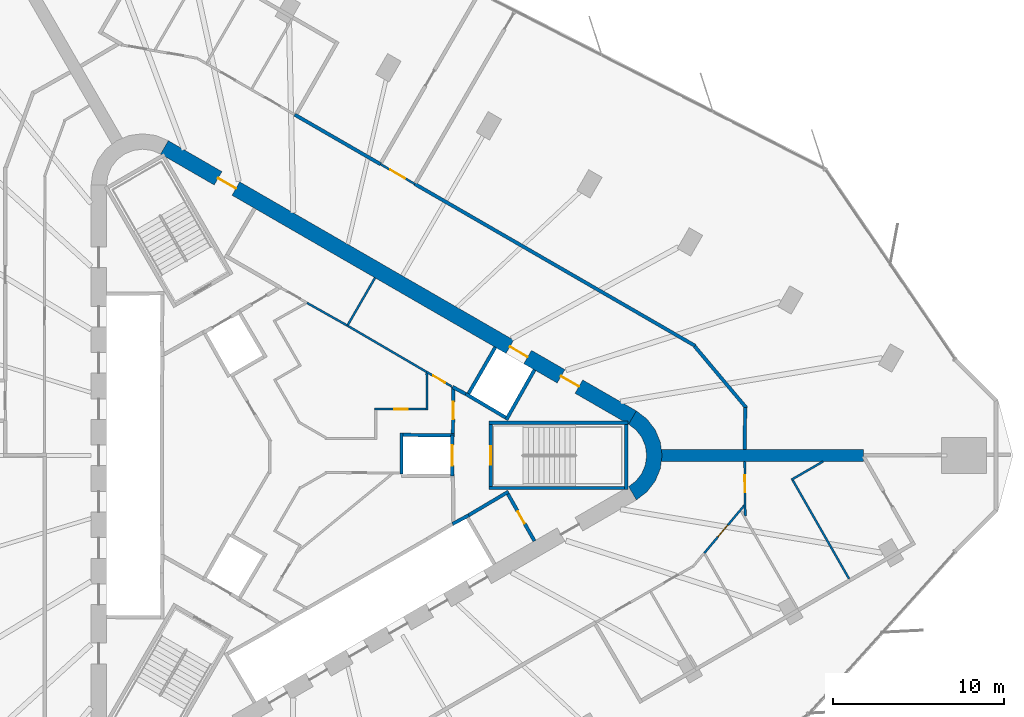
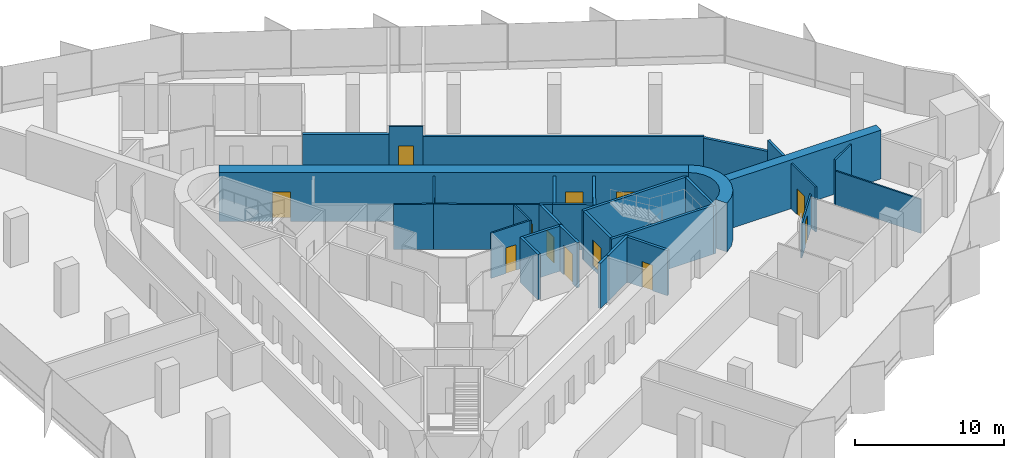
# One storey, part 11 of 14: 33 walls, 12 doors, 12 openings.
"""IFC4 building model written with IfcOpenShell, lengths in metres."""

import ifcopenshell
import ifcopenshell.guid

model = None  # the IFC model being written
_history = None  # IfcOwnerHistory: only IFC2X3 demands one
_inside = {}  # id of a spatial element -> (the spatial element, [elements in it])
_under = {}  # id of a project, library or spatial element -> (it, [spatial elements below it])
_declared = {}  # id of a project -> (the project, [libraries it declares])
_typed = {}  # id of a type object -> (the type object, [elements of that type])
_made_of = {}  # id of a material, layer set ... -> (it, [elements and type objects made of it])


def new_model(schema):
    """Start an empty IFC model of exactly this schema.

    Asked for "IFC4X3", IfcOpenShell would pick the latest addendum, in which some entities
    have other attributes; the version numbers below select the first issue.
    IFC2X3 requires an IfcOwnerHistory on every rooted entity: one is made here for all.
    """
    global model, _history
    if schema == "IFC4X3":
        model = ifcopenshell.file(schema_version=(4, 3, 0, 0))
    else:
        model = ifcopenshell.file(schema=schema)
    _inside.clear()
    _under.clear()
    _declared.clear()
    _typed.clear()
    _made_of.clear()
    _history = None
    if model.schema == "IFC2X3":
        org = make("IfcOrganization", Name="unknown")
        user = make(
            "IfcPersonAndOrganization",
            ThePerson=make("IfcPerson", FamilyName="unknown"),
            TheOrganization=org,
        )
        app = make(
            "IfcApplication",
            ApplicationDeveloper=org,
            Version="unknown",
            ApplicationFullName="unknown",
            ApplicationIdentifier="unknown",
        )
        _history = make(
            "IfcOwnerHistory",
            OwningUser=user,
            OwningApplication=app,
            ChangeAction="ADDED",
            CreationDate=0,
        )
    return model


def make(cls, **values):
    """One entity of the class cls with the attributes given. An attribute that is None is left unset."""
    return model.create_entity(
        cls, **{name: value for name, value in values.items() if value is not None}
    )


def rooted(cls, **values):
    """An entity with a GlobalId (a new one), such as an element, a storey or a relation."""
    return make(cls, GlobalId=ifcopenshell.guid.new(), OwnerHistory=_history, **values)


def si_unit(unit_type, name, prefix=None):
    """IfcSIUnit, for example si_unit("LENGTHUNIT", "METRE", prefix="MILLI")."""
    return make("IfcSIUnit", UnitType=unit_type, Prefix=prefix, Name=name)


def assignment(units):
    """IfcUnitAssignment: the units of a project."""
    return None if units is None else make("IfcUnitAssignment", Units=units)


def point(xyz):
    """IfcCartesianPoint."""
    return None if xyz is None else make("IfcCartesianPoint", Coordinates=xyz)


def direction(xyz):
    """IfcDirection."""
    return None if xyz is None else make("IfcDirection", DirectionRatios=xyz)


def frame(location, z_axis=None, x_axis=None):
    """IfcAxis2Placement3D, a coordinate frame: its origin and axes. An axis left out is left unset."""
    return make(
        "IfcAxis2Placement3D",
        Location=point(location),
        Axis=direction(z_axis),
        RefDirection=direction(x_axis),
    )


def frame_2d(location, x_axis=None):
    """IfcAxis2Placement2D, a coordinate frame in the plane: its origin and x axis."""
    return make(
        "IfcAxis2Placement2D", Location=point(location), RefDirection=direction(x_axis)
    )


def origin():
    """The frame at (0, 0, 0) with its axes left unset."""
    return frame((0.0, 0.0, 0.0))


def place(relative_to, where):
    """IfcLocalPlacement: puts the frame where relative to a parent placement (None: the world)."""
    return make(
        "IfcLocalPlacement", PlacementRelTo=relative_to, RelativePlacement=where
    )


def context(
    kind, dimensions, precision=None, world=None, true_north=None, identifier=None
):
    """IfcGeometricRepresentationContext, for example the 3D "Model" context."""
    return make(
        "IfcGeometricRepresentationContext",
        ContextIdentifier=identifier,
        ContextType=kind,
        CoordinateSpaceDimension=dimensions,
        Precision=precision,
        WorldCoordinateSystem=world,
        TrueNorth=true_north,
    )


def subcontext(parent, identifier, kind, view, scale=None):
    """IfcGeometricRepresentationSubContext, for example "Body" below "Model"."""
    return make(
        "IfcGeometricRepresentationSubContext",
        ContextIdentifier=identifier,
        ContextType=kind,
        ParentContext=parent,
        TargetScale=scale,
        TargetView=view,
    )


def project(units=None, contexts=None):
    """IfcProject with its units and contexts."""
    return rooted(
        "IfcProject",
        Name="project",
        RepresentationContexts=contexts,
        UnitsInContext=assignment(units),
    )


def spatial(cls, under=None, at=None, **own):
    """A site, building, storey or space (cls), placed at a placement, below another one or the project."""
    s = rooted(cls, ObjectPlacement=at, **own)
    if under is not None:
        _under.setdefault(under.id(), (under, []))[1].append(s)
    return s


def polyline(points):
    """IfcPolyline through the points."""
    return make("IfcPolyline", Points=[point(p) for p in points])


def profile(cls, at=None, kind="AREA", **sizes):
    """A parametric profile (cls). Its sizes go by their IFC names, for example OverallWidth=200.0."""
    return make(cls, ProfileType=kind, Position=at, **sizes)


def rectangle(**sizes):
    """IfcRectangleProfileDef."""
    return profile("IfcRectangleProfileDef", **sizes)


def outline(outer, holes=None, kind="AREA"):
    """IfcArbitraryClosedProfileDef: a profile drawn as a closed curve; with holes, ...WithVoids."""
    if holes is None:
        return make("IfcArbitraryClosedProfileDef", ProfileType=kind, OuterCurve=outer)
    return make(
        "IfcArbitraryProfileDefWithVoids",
        ProfileType=kind,
        OuterCurve=outer,
        InnerCurves=holes,
    )


def extrude(swept, where, along, depth):
    """IfcExtrudedAreaSolid: the profile swept, set in the frame where, extruded along a direction by depth."""
    return make(
        "IfcExtrudedAreaSolid",
        SweptArea=swept,
        Position=where,
        ExtrudedDirection=direction(along),
        Depth=depth,
    )


def shape(context_of_items, identifier, shape_type, items):
    """IfcShapeRepresentation: the items that make up one representation, for example the "Body"."""
    return make(
        "IfcShapeRepresentation",
        ContextOfItems=context_of_items,
        RepresentationIdentifier=identifier,
        RepresentationType=shape_type,
        Items=items,
    )


def material(Name=None, Category=None):
    """IfcMaterial."""
    return make("IfcMaterial", Name=Name, Category=Category)


def layer(
    of_material, thickness, ventilated=None, Name=None, Category=None, Priority=None
):
    """IfcMaterialLayer: one layer of a wall or slab, of a material (None: an air gap)."""
    return make(
        "IfcMaterialLayer",
        Material=of_material,
        LayerThickness=thickness,
        IsVentilated=ventilated,
        Name=Name,
        Category=Category,
        Priority=Priority,
    )


def layer_set(layers, Name=None):
    """IfcMaterialLayerSet."""
    return make("IfcMaterialLayerSet", MaterialLayers=layers, LayerSetName=Name)


def made_of(thing, what):
    """Note that an element or type object is made of a material, layer set ...; save() writes the relation."""
    if what is not None:
        _made_of.setdefault(what.id(), (what, []))[1].append(thing)
    return thing


def type_object(cls, material=None, **own):
    """A type object (cls), such as IfcWallType, which elements share."""
    return made_of(rooted(cls, **own), material)


def element(
    cls,
    number,
    at=None,
    inside=None,
    cuts=None,
    type_object=None,
    material=None,
    context=None,
    identifier="Body",
    shape_type=None,
    held_by="IfcProductDefinitionShape",
    body=None,
    shapes=None,
    **own,
):
    """One element of the class cls, such as IfcWall. Its Tag is "e" and its number.

    at: its placement. inside: the storey or other place that contains it. cuts: it is an
    opening in that element (IfcRelVoidsElement). A single representation is given by context,
    identifier, shape_type and body (its items); several are given by shapes. held_by: the class
    of the entity that holds the representations. save() writes the other relations.
    """
    e = rooted(cls, Tag="e%d" % number, ObjectPlacement=at, **own)
    if body is not None:
        shapes = [shape(context, identifier, shape_type, body)]
    if shapes is not None:
        e.Representation = make(held_by, Representations=shapes)
    if inside is not None:
        _inside.setdefault(inside.id(), (inside, []))[1].append(e)
    if cuts is not None:
        rooted(
            "IfcRelVoidsElement", RelatingBuildingElement=cuts, RelatedOpeningElement=e
        )
    if type_object is not None:
        _typed.setdefault(type_object.id(), (type_object, []))[1].append(e)
    return made_of(e, material)


def fill(opening, filler):
    """IfcRelFillsElement: the door or window that sits in an opening."""
    return rooted(
        "IfcRelFillsElement",
        RelatingOpeningElement=opening,
        RelatedBuildingElement=filler,
    )


def aggregate(whole, parts):
    """IfcRelAggregates: a whole, such as a stair, and the parts it consists of."""
    return rooted("IfcRelAggregates", RelatingObject=whole, RelatedObjects=parts)


def save(model, path):
    """Write the relations noted so far, then the file.

    IfcRelAggregates (storeys below a building ...), IfcRelContainedInSpatialStructure (elements
    in a storey), IfcRelDefinesByType, IfcRelAssociatesMaterial and IfcRelDeclares: one each for
    every whole, place, type object, material and project.
    """
    for whole, parts in _under.values():
        aggregate(whole, parts)
    for where, things in _inside.values():
        rooted(
            "IfcRelContainedInSpatialStructure",
            RelatedElements=things,
            RelatingStructure=where,
        )
    for kind, things in _typed.values():
        rooted("IfcRelDefinesByType", RelatedObjects=things, RelatingType=kind)
    for what, things in _made_of.values():
        rooted("IfcRelAssociatesMaterial", RelatedObjects=things, RelatingMaterial=what)
    for by, libraries in _declared.values():
        rooted("IfcRelDeclares", RelatingContext=by, RelatedDefinitions=libraries)
    model.write(path)


model = new_model("IFC4")

# Units and contexts
model_context = context("Model", 3, precision=1e-05, world=origin(), true_north=direction((0.0, 1.0)))
body_context = subcontext(model_context, "Body", "Model", "MODEL_VIEW")
ifc_project = project(units=[si_unit("LENGTHUNIT", "METRE"), si_unit("AREAUNIT", "SQUARE_METRE"), si_unit("VOLUMEUNIT", "CUBIC_METRE"), si_unit("PLANEANGLEUNIT", "RADIAN"), si_unit("MASSUNIT", "GRAM", prefix="KILO")], contexts=[model_context])

# Site, building, storey
site_placement = place(None, origin())
site = spatial("IfcSite", under=ifc_project, at=site_placement, CompositionType="ELEMENT")
building_placement = place(site_placement, origin())
building = spatial("IfcBuilding", under=site, at=building_placement, Name="Tanit Gate Tower", CompositionType="ELEMENT")
storey_placement = place(building_placement, frame((0.0, 0.0, 205.199951171875)))
storey = spatial("IfcBuildingStorey", under=building, at=storey_placement, Name="L45", CompositionType="ELEMENT", Elevation=205.199951171875)

# Wall
ifc_material_1 = material(Name="Concrete C50/60", Category="concrete")
ifc_layer_1 = layer(ifc_material_1, 0.699951171875)
ifc_layer_set_1 = layer_set([ifc_layer_1], Name="BUTTRESS FIN 700 C50/60")
wall_type_1 = type_object("IfcWallType", Name="BUTTRESS FIN 700 C50/60", PredefinedType="SHEAR", material=ifc_layer_set_1)
wall_1_placement = place(storey_placement, frame((21.14990234375, 0.0, 0.0), z_axis=(0.0, 0.0, 1.0), x_axis=(1.0, 0.0, 0.0)))
element("IfcWall", 1, at=wall_1_placement, inside=storey, type_object=wall_type_1, Name="BUTTRESS FIN", PredefinedType="SHEAR", context=body_context, shape_type="SweptSolid", body=[
    extrude(rectangle(XDim=11.7939453125, YDim=0.699951171875, at=frame_2d((5.89697265625, 0.0))), origin(), (0.0, 0.0, 1.0), 4.0),
])

# Wall, openings, doors
ifc_material_2 = material(Name="Concrete C50/60", Category="concrete")
ifc_layer_2 = layer(ifc_material_2, 0.89990234375)
ifc_layer_set_2 = layer_set([ifc_layer_2], Name="CORE WALL 900 C50/60")
wall_type_2 = type_object("IfcWallType", Name="CORE WALL 900 C50/60", PredefinedType="SHEAR", material=ifc_layer_set_2)
wall_2_placement = place(storey_placement, frame((19.47509765625, 2.20849609375, 0.0), z_axis=(0.0, 0.0, 1.0), x_axis=(-0.866028369851, 0.499994862586, 0.0)))
wall_2 = element("IfcWall", 2, at=wall_2_placement, inside=storey, type_object=wall_type_2, Name="CORE WALL", PredefinedType="SHEAR", context=body_context, shape_type="SweptSolid", body=[
    extrude(rectangle(XDim=31.523193359375, YDim=0.89990234375, at=frame_2d((15.76171875, 0.0))), origin(), (0.0, 0.0, 1.0), 4.0),
])
opening_1_placement = place(wall_2_placement, frame((7.0615234375, 0.0, 0.0)))
opening_1 = element("IfcOpeningElement", 3, at=opening_1_placement, cuts=wall_2, Name="Opening LDML8-S12", PredefinedType="OPENING", context=body_context, shape_type="SweptSolid", body=[
    extrude(rectangle(XDim=1.199951171875, YDim=2.39990234375, at=frame_2d((0.60009765625, 1.199951171875))), frame((0.0, 0.4599609375, 0.0), z_axis=(0.0, -1.0, 0.0), x_axis=(1.0, 0.0, 0.0)), (0.0, 0.0, 1.0), 0.919921875),
])
opening_2_placement = place(wall_2_placement, frame((3.611572265625, 0.0, 0.0)))
opening_2 = element("IfcOpeningElement", 4, at=opening_2_placement, cuts=wall_2, Name="Opening F12-S12-FL1", PredefinedType="OPENING", context=body_context, shape_type="SweptSolid", body=[
    extrude(rectangle(XDim=1.199951171875, YDim=2.39990234375, at=frame_2d((0.60009765625, 1.199951171875))), frame((0.0, 0.4599609375, 0.0), z_axis=(0.0, -1.0, 0.0), x_axis=(1.0, 0.0, 0.0)), (0.0, 0.0, 1.0), 0.919921875),
])
opening_3_placement = place(wall_2_placement, frame((26.711669921875, 0.0, 0.0)))
opening_3 = element("IfcOpeningElement", 5, at=opening_3_placement, cuts=wall_2, Name="Opening F12-S12-S2", PredefinedType="OPENING", context=body_context, shape_type="SweptSolid", body=[
    extrude(rectangle(XDim=1.199951171875, YDim=2.39990234375, at=frame_2d((0.60009765625, 1.199951171875))), frame((0.0, 0.4599609375, 0.0), z_axis=(0.0, -1.0, 0.0), x_axis=(1.0, 0.0, 0.0)), (0.0, 0.0, 1.0), 0.919921875),
])
ifc_material_3 = material(Name="Fire-rated steel door leaf", Category="steel")
door_type_1 = type_object("IfcDoorType", Name="INT-DOOR-FIRE-LOBBY-1200", OperationType="NOTDEFINED", PredefinedType="USERDEFINED", material=ifc_material_3)
door_1_placement = place(opening_2_placement, origin())
door_1 = element("IfcDoor", 6, at=door_1_placement, inside=storey, type_object=door_type_1, Name="Door F12-S12-FL1", ObjectType="FIRE DOOR", OperationType="SINGLE_SWING_RIGHT", OverallHeight=2.39990234375, OverallWidth=1.199951171875, PredefinedType="USERDEFINED", context=body_context, shape_type="SweptSolid", body=[
    extrude(rectangle(XDim=1.199951171875, YDim=2.39990234375, at=frame_2d((0.60009765625, 1.199951171875))), frame((0.0, 0.02490234375, 0.0), z_axis=(0.0, -1.0, 0.0), x_axis=(1.0, 0.0, 0.0)), (0.0, 0.0, 1.0), 0.050048828125),
])
fill(opening_2, door_1)
door_2_placement = place(opening_3_placement, origin())
door_2 = element("IfcDoor", 7, at=door_2_placement, inside=storey, type_object=door_type_1, Name="Door F12-S12-S2", ObjectType="FIRE DOOR", OperationType="SINGLE_SWING_RIGHT", OverallHeight=2.39990234375, OverallWidth=1.199951171875, PredefinedType="USERDEFINED", context=body_context, shape_type="SweptSolid", body=[
    extrude(rectangle(XDim=1.199951171875, YDim=2.39990234375, at=frame_2d((0.60009765625, 1.199951171875))), frame((0.0, 0.02490234375, 0.0), z_axis=(0.0, -1.0, 0.0), x_axis=(1.0, 0.0, 0.0)), (0.0, 0.0, 1.0), 0.050048828125),
])
fill(opening_3, door_2)
ifc_material_4 = material(Name="Stainless steel sliding door leaf", Category="steel")
door_type_2 = type_object("IfcDoorType", Name="INT-DOOR-LANDING-1200", OperationType="NOTDEFINED", PredefinedType="USERDEFINED", material=ifc_material_4)
door_3_placement = place(opening_1_placement, origin())
door_3 = element("IfcDoor", 8, at=door_3_placement, inside=storey, type_object=door_type_2, Name="Door LDML8-S12", ObjectType="LANDING DOOR", OperationType="SLIDING_TO_LEFT", OverallHeight=2.39990234375, OverallWidth=1.199951171875, PredefinedType="USERDEFINED", context=body_context, shape_type="SweptSolid", body=[
    extrude(rectangle(XDim=1.199951171875, YDim=2.39990234375, at=frame_2d((0.60009765625, 1.199951171875))), frame((0.0, 0.02490234375, 0.0), z_axis=(0.0, -1.0, 0.0), x_axis=(1.0, 0.0, 0.0)), (0.0, 0.0, 1.0), 0.050048828125),
])
fill(opening_1, door_3)

# Walls
wall_3_placement = place(storey_placement, origin())
element("IfcWall", 9, at=wall_3_placement, inside=storey, type_object=wall_type_2, Name="CORE WALL CORNER", PredefinedType="SHEAR", context=body_context, shape_type="SweptSolid", body=[
    extrude(outline(polyline([(19.699951171875, -2.59814453125), (20.3212890625, -2.121337890625), (20.798095703125, -1.5), (21.097900390625, -0.776611328125), (21.199951171875, 0.0), (21.097900390625, 0.776611328125), (20.798095703125, 1.5), (20.3212890625, 2.121337890625), (19.699951171875, 2.59814453125), (19.25, 1.818603515625), (19.684814453125, 1.48486328125), (20.018798828125, 1.050048828125), (20.228515625, 0.54345703125), (20.300048828125, 0.0), (20.228515625, -0.54345703125), (20.018798828125, -1.050048828125), (19.684814453125, -1.48486328125), (19.25, -1.818603515625), (19.699951171875, -2.59814453125)])), origin(), (0.0, 0.0, 1.0), 4.0),
])
ifc_material_5 = material(Name="Fire-rated gypsum board partition")
ifc_layer_3 = layer(ifc_material_5, 0.199951171875)
ifc_layer_set_3 = layer_set([ifc_layer_3], Name="INT-WALL-COMPARTMENT")
wall_type_3 = type_object("IfcWallType", Name="INT-WALL-COMPARTMENT", PredefinedType="PARTITIONING", material=ifc_layer_set_3)
wall_4_placement = place(storey_placement, frame((8.97412109375, 3.998779296875, 0.0), z_axis=(0.0, 0.0, 1.0), x_axis=(0.880917147855, -0.473270513147, 0.0)))
element("IfcWall", 10, at=wall_4_placement, inside=storey, type_object=wall_type_3, Name="Wall Compartment W050", PredefinedType="PARTITIONING", context=body_context, shape_type="SweptSolid", body=[
    extrude(rectangle(XDim=0.8779296875, YDim=0.199951171875, at=frame_2d((0.43896484375, 0.0))), origin(), (0.0, 0.0, 1.0), 3.699951171875),
])
wall_5_placement = place(storey_placement, frame((12.244873046875, -2.10888671875, 0.0), z_axis=(0.0, 0.0, 1.0), x_axis=(-0.860414880418, -0.509594185166, 0.0)))
element("IfcWall", 11, at=wall_5_placement, inside=storey, type_object=wall_type_3, Name="Wall Compartment W057", PredefinedType="PARTITIONING", context=body_context, shape_type="SweptSolid", body=[
    extrude(rectangle(XDim=2.7001953125, YDim=0.199951171875, at=frame_2d((1.35009765625, 0.0))), origin(), (0.0, 0.0, 1.0), 3.699951171875),
])

# Wall, opening, door
wall_6_placement = place(storey_placement, frame((13.758056640625, -4.989501953125, 0.0), z_axis=(0.0, 0.0, 1.0), x_axis=(-0.491993409184, 0.87059892334, 0.0)))
wall_6 = element("IfcWall", 12, at=wall_6_placement, inside=storey, type_object=wall_type_3, Name="Wall Compartment W058", PredefinedType="PARTITIONING", context=body_context, shape_type="SweptSolid", body=[
    extrude(rectangle(XDim=3.150146484375, YDim=0.199951171875, at=frame_2d((1.5751953125, 0.0))), origin(), (0.0, 0.0, 1.0), 3.699951171875),
])
opening_4_placement = place(wall_6_placement, frame((1.175048828125, 0.0, 0.0)))
opening_4 = element("IfcOpeningElement", 13, at=opening_4_placement, cuts=wall_6, Name="Opening R08-S12-16", PredefinedType="OPENING", context=body_context, shape_type="SweptSolid", body=[
    extrude(rectangle(XDim=0.800048828125, YDim=2.10009765625, at=frame_2d((0.39990234375, 1.050048828125))), frame((0.0, 0.10986328125, 0.0), z_axis=(0.0, -1.0, 0.0), x_axis=(1.0, 0.0, 0.0)), (0.0, 0.0, 1.0), 0.219970703125),
])
ifc_material_6 = material(Name="Timber door leaf", Category="wood")
door_type_3 = type_object("IfcDoorType", Name="INT-DOOR-RISER-800", OperationType="NOTDEFINED", PredefinedType="USERDEFINED", material=ifc_material_6)
door_4_placement = place(opening_4_placement, origin())
door_4 = element("IfcDoor", 14, at=door_4_placement, inside=storey, type_object=door_type_3, Name="Door R08-S12-16", ObjectType="FIRE DOOR", OperationType="SINGLE_SWING_RIGHT", OverallHeight=2.10009765625, OverallWidth=0.800048828125, PredefinedType="USERDEFINED", context=body_context, shape_type="SweptSolid", body=[
    extrude(rectangle(XDim=0.800048828125, YDim=2.10009765625, at=frame_2d((0.39990234375, 1.050048828125))), frame((0.0, 0.02490234375, 0.0), z_axis=(0.0, -1.0, 0.0), x_axis=(1.0, 0.0, 0.0)), (0.0, 0.0, 1.0), 0.050048828125),
])
fill(opening_4, door_4)

wall_7_placement = place(storey_placement, frame((9.0009765625, 1.27001953125, 0.0), z_axis=(0.0, 0.0, 1.0), x_axis=(0.010723968736, 0.999942496594, 0.0)))
wall_7 = element("IfcWall", 15, at=wall_7_placement, inside=storey, type_object=wall_type_3, Name="Wall Compartment W060", PredefinedType="PARTITIONING", context=body_context, shape_type="SweptSolid", body=[
    extrude(rectangle(XDim=2.709228515625, YDim=0.199951171875, at=frame_2d((1.3544921875, 0.0))), origin(), (0.0, 0.0, 1.0), 3.699951171875),
])
opening_5_placement = place(wall_7_placement, frame((0.848388671875, 0.0, 0.0)))
opening_5 = element("IfcOpeningElement", 16, at=opening_5_placement, cuts=wall_7, Name="Opening F10-S12-02", PredefinedType="OPENING", context=body_context, shape_type="SweptSolid", body=[
    extrude(rectangle(XDim=1.0, YDim=2.10009765625, at=frame_2d((0.5, 1.050048828125))), frame((0.0, 0.10986328125, 0.0), z_axis=(0.0, -1.0, 0.0), x_axis=(1.0, 0.0, 0.0)), (0.0, 0.0, 1.0), 0.219970703125),
])
ifc_material_7 = material(Name="Fire-rated steel door leaf", Category="steel")
door_type_4 = type_object("IfcDoorType", Name="INT-DOOR-FIRE-1000", OperationType="NOTDEFINED", PredefinedType="USERDEFINED", material=ifc_material_7)
door_5_placement = place(opening_5_placement, origin())
door_5 = element("IfcDoor", 17, at=door_5_placement, inside=storey, type_object=door_type_4, Name="Door F10-S12-02", ObjectType="FIRE DOOR", OperationType="SINGLE_SWING_LEFT", OverallHeight=2.10009765625, OverallWidth=1.0, PredefinedType="USERDEFINED", context=body_context, shape_type="SweptSolid", body=[
    extrude(rectangle(XDim=1.0, YDim=2.10009765625, at=frame_2d((0.5, 1.050048828125))), frame((0.0, 0.02490234375, 0.0), z_axis=(0.0, -1.0, 0.0), x_axis=(1.0, 0.0, 0.0)), (0.0, 0.0, 1.0), 0.050048828125),
])
fill(opening_5, door_5)

# Walls
wall_8_placement = place(storey_placement, frame((23.118896484375, 6.397705078125, 0.0), z_axis=(0.0, 0.0, 1.0), x_axis=(-0.866027034507, 0.499997175495, 0.0)))
element("IfcWall", 18, at=wall_8_placement, inside=storey, type_object=wall_type_3, Name="Wall Compartment W099", PredefinedType="PARTITIONING", context=body_context, shape_type="SweptSolid", body=[
    extrude(rectangle(XDim=18.87255859375, YDim=0.199951171875, at=frame_2d((9.436279296875, 0.0))), origin(), (0.0, 0.0, 1.0), 2.880126953125),
])
wall_9_placement = place(storey_placement, frame((4.78271484375, 16.984130859375, 0.0), z_axis=(0.0, 0.0, 1.0), x_axis=(-0.866032949645, 0.499986929959, 0.0)))
element("IfcWall", 19, at=wall_9_placement, inside=storey, type_object=wall_type_3, Name="Wall Compartment W103", PredefinedType="PARTITIONING", context=body_context, shape_type="SweptSolid", body=[
    extrude(rectangle(XDim=5.780029296875, YDim=0.199951171875, at=frame_2d((2.89013671875, 0.0))), origin(), (0.0, 0.0, 1.0), 3.070068359375),
])
wall_10_placement = place(storey_placement, frame((26.12109375, 2.766357421875, 0.0), z_axis=(0.0, 0.0, 1.0), x_axis=(-0.642778291452, 0.766052261949, 0.0)))
element("IfcWall", 20, at=wall_10_placement, inside=storey, type_object=wall_type_3, Name="Wall Compartment W100", PredefinedType="PARTITIONING", context=body_context, shape_type="SweptSolid", body=[
    extrude(rectangle(XDim=4.70556640625, YDim=0.199951171875, at=frame_2d((2.352783203125, 0.0))), origin(), (0.0, 0.0, 1.0), 2.780029296875),
])
wall_11_placement = place(storey_placement, frame((26.019775390625, 0.35009765625, 0.0), z_axis=(0.0, 0.0, 1.0), x_axis=(0.010532007244, 0.999944536874, 0.0)))
element("IfcWall", 21, at=wall_11_placement, inside=storey, type_object=wall_type_3, Name="Wall Compartment W101", PredefinedType="PARTITIONING", context=body_context, shape_type="SweptSolid", body=[
    extrude(rectangle(XDim=2.457275390625, YDim=0.199951171875, at=frame_2d((1.228515625, 0.0))), origin(), (0.0, 0.0, 1.0), 3.699951171875),
])
ifc_material_8 = material(Name="Gypsum board partition")
ifc_layer_4 = layer(ifc_material_8, 0.1201171875)
ifc_layer_set_4 = layer_set([ifc_layer_4], Name="INT-WALL-PARTITION")
wall_type_4 = type_object("IfcWallType", Name="INT-WALL-PARTITION", PredefinedType="PARTITIONING", material=ifc_layer_set_4)
wall_12_placement = place(storey_placement, frame((4.456787109375, 10.359375, 0.0), z_axis=(0.0, 0.0, 1.0), x_axis=(-0.500017246033, -0.866015446554, 0.0)))
element("IfcWall", 22, at=wall_12_placement, inside=storey, type_object=wall_type_4, Name="Wall Partition W049", PredefinedType="PARTITIONING", context=body_context, shape_type="SweptSolid", body=[
    extrude(rectangle(XDim=3.25, YDim=0.1201171875, at=frame_2d((1.625, 0.0))), origin(), (0.0, 0.0, 1.0), 3.699951171875),
])
wall_13_placement = place(storey_placement, frame((7.456787109375, 4.875244140625, 0.0), z_axis=(0.0, 0.0, 1.0), x_axis=(-0.863262357411, 0.504755487615, 0.0)))
element("IfcWall", 23, at=wall_13_placement, inside=storey, type_object=wall_type_4, Name="Wall Partition W051", PredefinedType="PARTITIONING", context=body_context, shape_type="SweptSolid", body=[
    extrude(rectangle(XDim=5.370361328125, YDim=0.1201171875, at=frame_2d((2.68505859375, 0.0))), origin(), (0.0, 0.0, 1.0), 3.699951171875),
])

# Wall, opening, door
wall_14_placement = place(storey_placement, frame((7.45654296875, 4.874755859375, 0.0), z_axis=(0.0, 0.0, 1.0), x_axis=(0.866027945518, -0.499995597562, 0.0)))
wall_14 = element("IfcWall", 24, at=wall_14_placement, inside=storey, type_object=wall_type_4, Name="Wall Partition W052", PredefinedType="PARTITIONING", context=body_context, shape_type="SweptSolid", body=[
    extrude(rectangle(XDim=1.7021484375, YDim=0.1201171875, at=frame_2d((0.85107421875, 0.0))), origin(), (0.0, 0.0, 1.0), 3.699951171875),
])
opening_6_placement = place(wall_14_placement, frame((0.461181640625, 0.0, 0.0)))
opening_6 = element("IfcOpeningElement", 25, at=opening_6_placement, cuts=wall_14, Name="Opening R08-S12-14", PredefinedType="OPENING", context=body_context, shape_type="SweptSolid", body=[
    extrude(rectangle(XDim=0.800048828125, YDim=2.10009765625, at=frame_2d((0.39990234375, 1.050048828125))), frame((0.0, 0.070068359375, 0.0), z_axis=(0.0, -1.0, 0.0), x_axis=(1.0, 0.0, 0.0)), (0.0, 0.0, 1.0), 0.14013671875),
])
door_6_placement = place(opening_6_placement, origin())
door_6 = element("IfcDoor", 26, at=door_6_placement, inside=storey, type_object=door_type_3, Name="Door R08-S12-14", ObjectType="FIRE DOOR", OperationType="SINGLE_SWING_RIGHT", OverallHeight=2.10009765625, OverallWidth=0.800048828125, PredefinedType="USERDEFINED", context=body_context, shape_type="SweptSolid", body=[
    extrude(rectangle(XDim=0.800048828125, YDim=2.10009765625, at=frame_2d((0.39990234375, 1.050048828125))), frame((0.0, 0.02490234375, 0.0), z_axis=(0.0, -1.0, 0.0), x_axis=(1.0, 0.0, 0.0)), (0.0, 0.0, 1.0), 0.050048828125),
])
fill(opening_6, door_6)

# Walls
wall_15_placement = place(storey_placement, frame((2.82080078125, 7.5859375, 0.0), z_axis=(0.0, 0.0, 1.0), x_axis=(-0.871426548871, 0.490526013503, 0.0)))
element("IfcWall", 27, at=wall_15_placement, inside=storey, type_object=wall_type_4, Name="Wall Partition W055", PredefinedType="PARTITIONING", context=body_context, shape_type="SweptSolid", body=[
    extrude(rectangle(XDim=2.670166015625, YDim=0.1201171875, at=frame_2d((1.3349609375, 0.0))), origin(), (0.0, 0.0, 1.0), 3.699951171875),
])
wall_16_placement = place(storey_placement, frame((7.500732421875, 2.639892578125, 0.0), z_axis=(0.0, 0.0, 1.0), x_axis=(-0.01178388431, 0.999930567625, 0.0)))
element("IfcWall", 28, at=wall_16_placement, inside=storey, type_object=wall_type_4, Name="Wall Partition W077", PredefinedType="PARTITIONING", context=body_context, shape_type="SweptSolid", body=[
    extrude(rectangle(XDim=2.15478515625, YDim=0.1201171875, at=frame_2d((1.077392578125, 0.0))), origin(), (0.0, 0.0, 1.0), 3.699951171875),
])

# Wall, opening, door
wall_17_placement = place(storey_placement, frame((4.43994140625, 2.699951171875, 0.0), z_axis=(0.0, 0.0, 1.0), x_axis=(1.0, 0.0, 0.0)))
wall_17 = element("IfcWall", 29, at=wall_17_placement, inside=storey, type_object=wall_type_4, Name="Wall Partition W078", PredefinedType="PARTITIONING", context=body_context, shape_type="SweptSolid", body=[
    extrude(rectangle(XDim=3.0, YDim=0.1201171875, at=frame_2d((1.5, 0.0))), origin(), (0.0, 0.0, 1.0), 3.699951171875),
])
opening_7_placement = place(wall_17_placement, frame((1.1298828125, 0.0, 0.0)))
opening_7 = element("IfcOpeningElement", 30, at=opening_7_placement, cuts=wall_17, Name="Opening R08-S12-13", PredefinedType="OPENING", context=body_context, shape_type="SweptSolid", body=[
    extrude(rectangle(XDim=0.800048828125, YDim=2.10009765625, at=frame_2d((0.39990234375, 1.050048828125))), frame((0.0, 0.070068359375, 0.0), z_axis=(0.0, -1.0, 0.0), x_axis=(1.0, 0.0, 0.0)), (0.0, 0.0, 1.0), 0.14013671875),
])
door_7_placement = place(opening_7_placement, origin())
door_7 = element("IfcDoor", 31, at=door_7_placement, inside=storey, type_object=door_type_3, Name="Door R08-S12-13", ObjectType="FIRE DOOR", OperationType="SINGLE_SWING_RIGHT", OverallHeight=2.10009765625, OverallWidth=0.800048828125, PredefinedType="USERDEFINED", context=body_context, shape_type="SweptSolid", body=[
    extrude(rectangle(XDim=0.800048828125, YDim=2.10009765625, at=frame_2d((0.39990234375, 1.050048828125))), frame((0.0, 0.02490234375, 0.0), z_axis=(0.0, -1.0, 0.0), x_axis=(1.0, 0.0, 0.0)), (0.0, 0.0, 1.0), 0.050048828125),
])
fill(opening_7, door_7)

wall_18_placement = place(storey_placement, frame((4.78271484375, 16.984130859375, 0.0), z_axis=(0.0, 0.0, 1.0), x_axis=(0.866007057882, -0.500031774688, 0.0)))
wall_18 = element("IfcWall", 32, at=wall_18_placement, inside=storey, type_object=wall_type_4, Name="Wall Partition W098", PredefinedType="PARTITIONING", context=body_context, shape_type="SweptSolid", body=[
    extrude(rectangle(XDim=2.300048828125, YDim=0.1201171875, at=frame_2d((1.14990234375, 0.0))), origin(), (0.0, 0.0, 1.0), 3.699951171875),
])
opening_8_placement = place(wall_18_placement, frame((0.64990234375, 0.0, 0.0)))
opening_8 = element("IfcOpeningElement", 33, at=opening_8_placement, cuts=wall_18, Name="Opening D10-S12-19", PredefinedType="OPENING", context=body_context, shape_type="SweptSolid", body=[
    extrude(rectangle(XDim=1.0, YDim=2.10009765625, at=frame_2d((0.5, 1.050048828125))), frame((0.0, 0.070068359375, 0.0), z_axis=(0.0, -1.0, 0.0), x_axis=(1.0, 0.0, 0.0)), (0.0, 0.0, 1.0), 0.14013671875),
])
ifc_material_9 = material(Name="Timber door leaf", Category="wood")
door_type_5 = type_object("IfcDoorType", Name="INT-DOOR-SINGLE-1000", OperationType="NOTDEFINED", PredefinedType="NOTDEFINED", material=ifc_material_9)
door_8_placement = place(opening_8_placement, origin())
door_8 = element("IfcDoor", 34, at=door_8_placement, inside=storey, type_object=door_type_5, Name="Door D10-S12-19", OperationType="SINGLE_SWING_LEFT", OverallHeight=2.10009765625, OverallWidth=1.0, PredefinedType="NOTDEFINED", context=body_context, shape_type="SweptSolid", body=[
    extrude(rectangle(XDim=1.0, YDim=2.10009765625, at=frame_2d((0.5, 1.050048828125))), frame((0.0, 0.02490234375, 0.0), z_axis=(0.0, -1.0, 0.0), x_axis=(1.0, 0.0, 0.0)), (0.0, 0.0, 1.0), 0.050048828125),
])
fill(opening_8, door_8)

wall_19_placement = place(storey_placement, frame((23.66845703125, -5.689453125, 0.0), z_axis=(0.0, 0.0, 1.0), x_axis=(0.642770978045, 0.766058398416, 0.0)))
wall_19 = element("IfcWall", 35, at=wall_19_placement, inside=storey, type_object=wall_type_4, Name="Wall Partition W117", PredefinedType="PARTITIONING", context=body_context, shape_type="SweptSolid", body=[
    extrude(rectangle(XDim=3.69921875, YDim=0.1201171875, at=frame_2d((1.849609375, 0.0))), origin(), (0.0, 0.0, 1.0), 2.780029296875),
])
opening_9_placement = place(wall_19_placement, frame((1.219970703125, 0.0, 0.0)))
opening_9 = element("IfcOpeningElement", 36, at=opening_9_placement, cuts=wall_19, Name="Opening D09-S12-27", PredefinedType="OPENING", context=body_context, shape_type="SweptSolid", body=[
    extrude(rectangle(XDim=0.89990234375, YDim=2.10009765625, at=frame_2d((0.449951171875, 1.050048828125))), frame((0.0, 0.070068359375, 0.0), z_axis=(0.0, -1.0, 0.0), x_axis=(1.0, 0.0, 0.0)), (0.0, 0.0, 1.0), 0.14013671875),
])
ifc_material_10 = material(Name="Timber door leaf", Category="wood")
door_type_6 = type_object("IfcDoorType", Name="INT-DOOR-SINGLE-900", OperationType="NOTDEFINED", PredefinedType="NOTDEFINED", material=ifc_material_10)
door_9_placement = place(opening_9_placement, origin())
door_9 = element("IfcDoor", 37, at=door_9_placement, inside=storey, type_object=door_type_6, Name="Door D09-S12-27", OperationType="SINGLE_SWING_LEFT", OverallHeight=2.10009765625, OverallWidth=0.89990234375, PredefinedType="NOTDEFINED", context=body_context, shape_type="SweptSolid", body=[
    extrude(rectangle(XDim=0.89990234375, YDim=2.10009765625, at=frame_2d((0.449951171875, 1.050048828125))), frame((0.0, 0.02490234375, 0.0), z_axis=(0.0, -1.0, 0.0), x_axis=(1.0, 0.0, 0.0)), (0.0, 0.0, 1.0), 0.050048828125),
])
fill(opening_9, door_9)

wall_20_placement = place(storey_placement, frame((26.053466796875, -3.53955078125, 0.0), z_axis=(0.0, 0.0, 1.0), x_axis=(-0.010562790974, 0.999944212167, 0.0)))
wall_20 = element("IfcWall", 38, at=wall_20_placement, inside=storey, type_object=wall_type_4, Name="Wall Partition W118", PredefinedType="PARTITIONING", context=body_context, shape_type="SweptSolid", body=[
    extrude(rectangle(XDim=3.189697265625, YDim=0.1201171875, at=frame_2d((1.5947265625, 0.0))), origin(), (0.0, 0.0, 1.0), 3.699951171875),
])
opening_10_placement = place(wall_20_placement, frame((1.38671875, 0.0, 0.0)))
opening_10 = element("IfcOpeningElement", 39, at=opening_10_placement, cuts=wall_20, Name="Opening D10-S12-28", PredefinedType="OPENING", context=body_context, shape_type="SweptSolid", body=[
    extrude(rectangle(XDim=1.0, YDim=2.10009765625, at=frame_2d((0.5, 1.050048828125))), frame((0.0, 0.070068359375, 0.0), z_axis=(0.0, -1.0, 0.0), x_axis=(1.0, 0.0, 0.0)), (0.0, 0.0, 1.0), 0.14013671875),
])
door_10_placement = place(opening_10_placement, origin())
door_10 = element("IfcDoor", 40, at=door_10_placement, inside=storey, type_object=door_type_5, Name="Door D10-S12-28", OperationType="SINGLE_SWING_RIGHT", OverallHeight=2.10009765625, OverallWidth=1.0, PredefinedType="NOTDEFINED", context=body_context, shape_type="SweptSolid", body=[
    extrude(rectangle(XDim=1.0, YDim=2.10009765625, at=frame_2d((0.5, 1.050048828125))), frame((0.0, 0.02490234375, 0.0), z_axis=(0.0, -1.0, 0.0), x_axis=(1.0, 0.0, 0.0)), (0.0, 0.0, 1.0), 0.050048828125),
])
fill(opening_10, door_10)

# Walls
wall_21_placement = place(storey_placement, frame((30.59375, -0.35009765625, 0.0), z_axis=(0.0, 0.0, 1.0), x_axis=(-0.86604708139, -0.499962451406, 0.0)))
element("IfcWall", 41, at=wall_21_placement, inside=storey, type_object=wall_type_4, Name="Wall Partition W151", PredefinedType="PARTITIONING", context=body_context, shape_type="SweptSolid", body=[
    extrude(rectangle(XDim=2.142822265625, YDim=0.1201171875, at=frame_2d((1.0712890625, 0.0))), origin(), (0.0, 0.0, 1.0), 3.699951171875),
])
wall_22_placement = place(storey_placement, frame((32.1044921875, -7.191162109375, 0.0), z_axis=(0.0, 0.0, 1.0), x_axis=(-0.496162767327, 0.868229525136, 0.0)))
element("IfcWall", 42, at=wall_22_placement, inside=storey, type_object=wall_type_4, Name="Wall Partition W152", PredefinedType="PARTITIONING", context=body_context, shape_type="SweptSolid", body=[
    extrude(rectangle(XDim=6.6201171875, YDim=0.1201171875, at=frame_2d((3.31005859375, 0.0))), origin(), (0.0, 0.0, 1.0), 2.780029296875),
])
ifc_material_11 = material(Name="Gypsum shaft wall system")
ifc_layer_5 = layer(ifc_material_11, 0.199951171875)
ifc_layer_set_5 = layer_set([ifc_layer_5], Name="INT-WALL-SHAFT")
wall_type_5 = type_object("IfcWallType", Name="INT-WALL-SHAFT", PredefinedType="PLUMBINGWALL", material=ifc_layer_set_5)
wall_23_placement = place(storey_placement, frame((9.8466796875, 3.494873046875, 0.0), z_axis=(0.0, 0.0, 1.0), x_axis=(0.499984717929, 0.866034226713, 0.0)))
element("IfcWall", 43, at=wall_23_placement, inside=storey, type_object=wall_type_5, Name="Wall Shaft W012", PredefinedType="PLUMBINGWALL", context=body_context, shape_type="SweptSolid", body=[
    extrude(rectangle(XDim=3.25, YDim=0.199951171875, at=frame_2d((1.625, 0.0))), origin(), (0.0, 0.0, 1.0), 3.699951171875),
])
wall_24_placement = place(storey_placement, frame((12.10986328125, 2.07275390625, 0.0), z_axis=(0.0, 0.0, 1.0), x_axis=(0.49196600604, 0.870614408852, 0.0)))
element("IfcWall", 44, at=wall_24_placement, inside=storey, type_object=wall_type_5, Name="Wall Shaft W013", PredefinedType="PLUMBINGWALL", context=body_context, shape_type="SweptSolid", body=[
    extrude(rectangle(XDim=3.35009765625, YDim=0.199951171875, at=frame_2d((1.675048828125, 0.0))), origin(), (0.0, 0.0, 1.0), 3.699951171875),
])
wall_25_placement = place(storey_placement, frame((12.072998046875, 2.2109375, 0.0), z_axis=(0.0, 0.0, 1.0), x_axis=(-0.860414880418, 0.509594185166, 0.0)))
element("IfcWall", 45, at=wall_25_placement, inside=storey, type_object=wall_type_5, Name="Wall Shaft W014", PredefinedType="PLUMBINGWALL", context=body_context, shape_type="SweptSolid", body=[
    extrude(rectangle(XDim=2.7001953125, YDim=0.199951171875, at=frame_2d((1.35009765625, 0.0))), origin(), (0.0, 0.0, 1.0), 3.699951171875),
])
wall_26_placement = place(storey_placement, frame((8.97412109375, -3.998779296875, 0.0), z_axis=(0.0, 0.0, 1.0), x_axis=(0.880907015104, 0.473289373154, 0.0)))
element("IfcWall", 46, at=wall_26_placement, inside=storey, type_object=wall_type_5, Name="Wall Shaft W017", PredefinedType="PLUMBINGWALL", context=body_context, shape_type="SweptSolid", body=[
    extrude(rectangle(XDim=1.078125, YDim=0.199951171875, at=frame_2d((0.5390625, 0.0))), origin(), (0.0, 0.0, 1.0), 3.699951171875),
])

# Wall, opening, door
wall_27_placement = place(storey_placement, frame((8.969970703125, 1.199951171875, 0.0), z_axis=(0.0, 0.0, 1.0), x_axis=(0.0, -1.0, 0.0)))
wall_27 = element("IfcWall", 47, at=wall_27_placement, inside=storey, type_object=wall_type_5, Name="Wall Shaft W029", PredefinedType="PLUMBINGWALL", context=body_context, shape_type="SweptSolid", body=[
    extrude(rectangle(XDim=2.39990234375, YDim=0.199951171875, at=frame_2d((1.199951171875, 0.0))), origin(), (0.0, 0.0, 1.0), 3.699951171875),
])
opening_11_placement = place(wall_27_placement, frame((0.60009765625, 0.0, 0.0)))
opening_11 = element("IfcOpeningElement", 48, at=opening_11_placement, cuts=wall_27, Name="Opening LDFL1-L45", PredefinedType="OPENING", context=body_context, shape_type="SweptSolid", body=[
    extrude(rectangle(XDim=1.199951171875, YDim=2.39990234375, at=frame_2d((0.60009765625, 1.199951171875))), frame((0.0, 0.10986328125, 0.0), z_axis=(0.0, -1.0, 0.0), x_axis=(1.0, 0.0, 0.0)), (0.0, 0.0, 1.0), 0.219970703125),
])
door_11_placement = place(opening_11_placement, origin())
door_11 = element("IfcDoor", 49, at=door_11_placement, inside=storey, type_object=door_type_2, Name="Door LDFL1-L45", ObjectType="LANDING DOOR", OperationType="SLIDING_TO_LEFT", OverallHeight=2.39990234375, OverallWidth=1.199951171875, PredefinedType="USERDEFINED", context=body_context, shape_type="SweptSolid", body=[
    extrude(rectangle(XDim=1.199951171875, YDim=2.39990234375, at=frame_2d((0.60009765625, 1.199951171875))), frame((0.0, 0.02490234375, 0.0), z_axis=(0.0, -1.0, 0.0), x_axis=(1.0, 0.0, 0.0)), (0.0, 0.0, 1.0), 0.050048828125),
])
fill(opening_11, door_11)

# Walls
wall_28_placement = place(storey_placement, frame((6.0, -1.089599609375, 0.0), z_axis=(0.0, 0.0, 1.0), x_axis=(0.0, 1.0, 0.0)))
element("IfcWall", 50, at=wall_28_placement, inside=storey, type_object=wall_type_5, Name="Wall Shaft W031", PredefinedType="PLUMBINGWALL", context=body_context, shape_type="SweptSolid", body=[
    extrude(rectangle(XDim=2.3896484375, YDim=0.199951171875, at=frame_2d((1.19482421875, 0.0))), origin(), (0.0, 0.0, 1.0), 3.699951171875),
])
wall_29_placement = place(storey_placement, frame((9.10009765625, 1.1689453125, 0.0), z_axis=(0.0, 0.0, 1.0), x_axis=(-0.99994990606, 0.010009264196, 0.0)))
element("IfcWall", 51, at=wall_29_placement, inside=storey, type_object=wall_type_5, Name="Wall Shaft W032", PredefinedType="PLUMBINGWALL", context=body_context, shape_type="SweptSolid", body=[
    extrude(rectangle(XDim=3.000244140625, YDim=0.199951171875, at=frame_2d((1.5, 0.0))), origin(), (0.0, 0.0, 1.0), 3.699951171875),
])
ifc_material_12 = material(Name="Concrete C40/50", Category="concrete")
ifc_layer_6 = layer(ifc_material_12, 0.199951171875)
ifc_layer_set_6 = layer_set([ifc_layer_6], Name="INT-WALL-STAIR")
wall_type_6 = type_object("IfcWallType", Name="INT-WALL-STAIR", PredefinedType="SHEAR", material=ifc_layer_set_6)
wall_30_placement = place(storey_placement, frame((19.199951171875, 1.89990234375, -0.300048828125), z_axis=(0.0, 0.0, 1.0), x_axis=(-1.0, 0.0, 0.0)))
element("IfcWall", 52, at=wall_30_placement, inside=storey, type_object=wall_type_6, Name="Wall Stair W025", PredefinedType="SHEAR", context=body_context, shape_type="SweptSolid", body=[
    extrude(rectangle(XDim=8.099853515625, YDim=0.199951171875, at=frame_2d((4.0498046875, 0.0))), origin(), (0.0, 0.0, 1.0), 4.0),
])
wall_31_placement = place(storey_placement, frame((19.10009765625, -2.0, -0.300048828125), z_axis=(0.0, 0.0, 1.0), x_axis=(0.0, 1.0, 0.0)))
element("IfcWall", 53, at=wall_31_placement, inside=storey, type_object=wall_type_6, Name="Wall Stair W026", PredefinedType="SHEAR", context=body_context, shape_type="SweptSolid", body=[
    extrude(rectangle(XDim=3.800048828125, YDim=0.199951171875, at=frame_2d((1.89990234375, 0.0))), origin(), (0.0, 0.0, 1.0), 4.0),
])
wall_32_placement = place(storey_placement, frame((11.10009765625, -1.89990234375, -0.300048828125), z_axis=(0.0, 0.0, 1.0), x_axis=(1.0, 0.0, 0.0)))
element("IfcWall", 54, at=wall_32_placement, inside=storey, type_object=wall_type_6, Name="Wall Stair W027", PredefinedType="SHEAR", context=body_context, shape_type="SweptSolid", body=[
    extrude(rectangle(XDim=7.89990234375, YDim=0.199951171875, at=frame_2d((3.949951171875, 0.0))), origin(), (0.0, 0.0, 1.0), 4.0),
])

# Wall, opening, door
wall_33_placement = place(storey_placement, frame((11.199951171875, -1.800048828125, -0.300048828125), z_axis=(0.0, 0.0, 1.0), x_axis=(0.0, 1.0, 0.0)))
wall_33 = element("IfcWall", 55, at=wall_33_placement, inside=storey, type_object=wall_type_6, Name="Wall Stair W028", PredefinedType="SHEAR", context=body_context, shape_type="SweptSolid", body=[
    extrude(rectangle(XDim=3.60009765625, YDim=0.199951171875, at=frame_2d((1.800048828125, 0.0))), origin(), (0.0, 0.0, 1.0), 4.0),
])
opening_12_placement = place(wall_33_placement, frame((1.25, 0.0, 0.300048828125)))
opening_12 = element("IfcOpeningElement", 56, at=opening_12_placement, cuts=wall_33, Name="Opening S11-S12-01", PredefinedType="OPENING", context=body_context, shape_type="SweptSolid", body=[
    extrude(rectangle(XDim=1.10009765625, YDim=2.10009765625, at=frame_2d((0.550048828125, 1.050048828125))), frame((0.0, 0.10986328125, 0.0), z_axis=(0.0, -1.0, 0.0), x_axis=(1.0, 0.0, 0.0)), (0.0, 0.0, 1.0), 0.219970703125),
])
ifc_material_13 = material(Name="Timber door leaf", Category="wood")
door_type_7 = type_object("IfcDoorType", Name="INT-DOOR-STAIR-1100", OperationType="NOTDEFINED", PredefinedType="USERDEFINED", material=ifc_material_13)
door_12_placement = place(opening_12_placement, origin())
door_12 = element("IfcDoor", 57, at=door_12_placement, inside=storey, type_object=door_type_7, Name="Door S11-S12-01", ObjectType="FIRE DOOR", OperationType="SINGLE_SWING_RIGHT", OverallHeight=2.10009765625, OverallWidth=1.10009765625, PredefinedType="USERDEFINED", context=body_context, shape_type="SweptSolid", body=[
    extrude(rectangle(XDim=1.10009765625, YDim=2.10009765625, at=frame_2d((0.550048828125, 1.050048828125))), frame((0.0, 0.02490234375, 0.0), z_axis=(0.0, -1.0, 0.0), x_axis=(1.0, 0.0, 0.0)), (0.0, 0.0, 1.0), 0.050048828125),
])
fill(opening_12, door_12)

save(model, "model.ifc")
